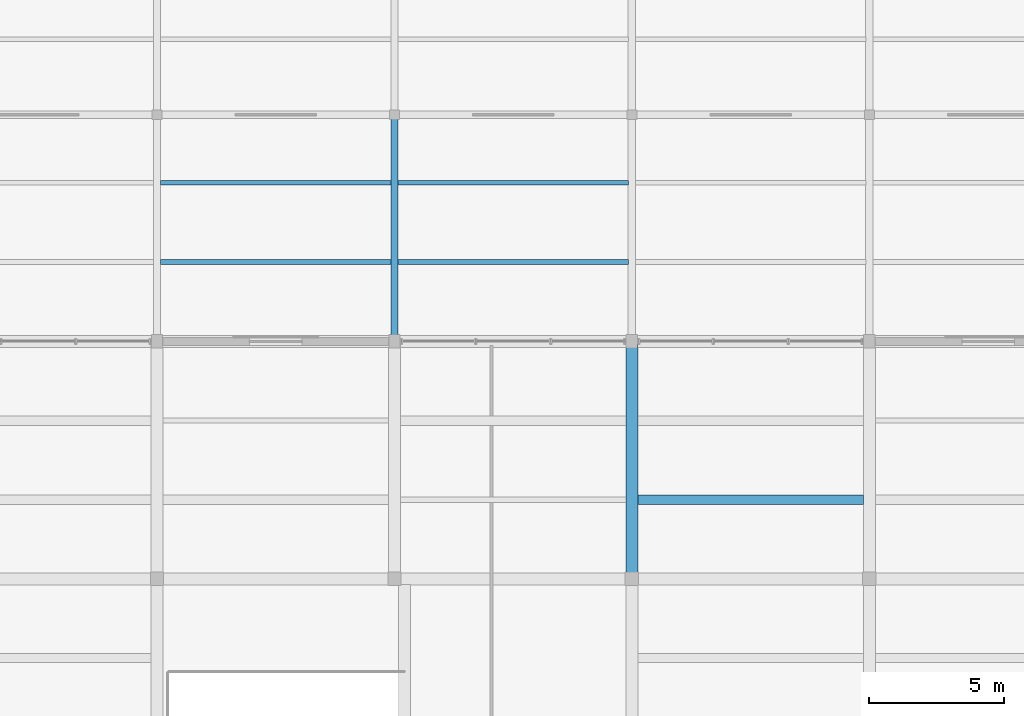
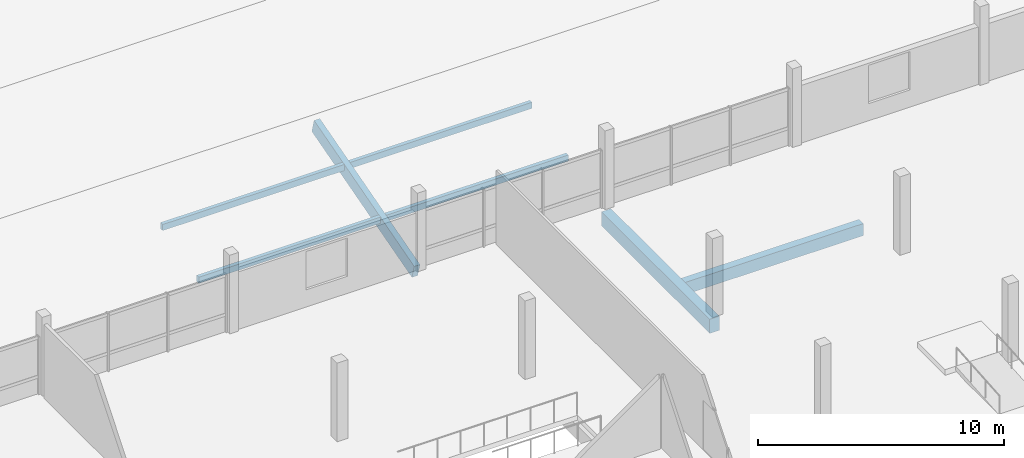
# One storey, part 44 of 62: 4 members, 3 beams.
"""IFC4 building model written with IfcOpenShell, lengths in metres."""

import ifcopenshell
import ifcopenshell.guid

model = None  # the IFC model being written
_history = None  # IfcOwnerHistory: only IFC2X3 demands one
_inside = {}  # id of a spatial element -> (the spatial element, [elements in it])
_under = {}  # id of a project, library or spatial element -> (it, [spatial elements below it])
_declared = {}  # id of a project -> (the project, [libraries it declares])
_typed = {}  # id of a type object -> (the type object, [elements of that type])
_made_of = {}  # id of a material, layer set ... -> (it, [elements and type objects made of it])


def new_model(schema):
    """Start an empty IFC model of exactly this schema.

    Asked for "IFC4X3", IfcOpenShell would pick the latest addendum, in which some entities
    have other attributes; the version numbers below select the first issue.
    IFC2X3 requires an IfcOwnerHistory on every rooted entity: one is made here for all.
    """
    global model, _history
    if schema == "IFC4X3":
        model = ifcopenshell.file(schema_version=(4, 3, 0, 0))
    else:
        model = ifcopenshell.file(schema=schema)
    _inside.clear()
    _under.clear()
    _declared.clear()
    _typed.clear()
    _made_of.clear()
    _history = None
    if model.schema == "IFC2X3":
        org = make("IfcOrganization", Name="unknown")
        user = make(
            "IfcPersonAndOrganization",
            ThePerson=make("IfcPerson", FamilyName="unknown"),
            TheOrganization=org,
        )
        app = make(
            "IfcApplication",
            ApplicationDeveloper=org,
            Version="unknown",
            ApplicationFullName="unknown",
            ApplicationIdentifier="unknown",
        )
        _history = make(
            "IfcOwnerHistory",
            OwningUser=user,
            OwningApplication=app,
            ChangeAction="ADDED",
            CreationDate=0,
        )
    return model


def make(cls, **values):
    """One entity of the class cls with the attributes given. An attribute that is None is left unset."""
    return model.create_entity(
        cls, **{name: value for name, value in values.items() if value is not None}
    )


def rooted(cls, **values):
    """An entity with a GlobalId (a new one), such as an element, a storey or a relation."""
    return make(cls, GlobalId=ifcopenshell.guid.new(), OwnerHistory=_history, **values)


def si_unit(unit_type, name, prefix=None):
    """IfcSIUnit, for example si_unit("LENGTHUNIT", "METRE", prefix="MILLI")."""
    return make("IfcSIUnit", UnitType=unit_type, Prefix=prefix, Name=name)


def assignment(units):
    """IfcUnitAssignment: the units of a project."""
    return None if units is None else make("IfcUnitAssignment", Units=units)


def point(xyz):
    """IfcCartesianPoint."""
    return None if xyz is None else make("IfcCartesianPoint", Coordinates=xyz)


def direction(xyz):
    """IfcDirection."""
    return None if xyz is None else make("IfcDirection", DirectionRatios=xyz)


def frame(location, z_axis=None, x_axis=None):
    """IfcAxis2Placement3D, a coordinate frame: its origin and axes. An axis left out is left unset."""
    return make(
        "IfcAxis2Placement3D",
        Location=point(location),
        Axis=direction(z_axis),
        RefDirection=direction(x_axis),
    )


def frame_2d(location, x_axis=None):
    """IfcAxis2Placement2D, a coordinate frame in the plane: its origin and x axis."""
    return make(
        "IfcAxis2Placement2D", Location=point(location), RefDirection=direction(x_axis)
    )


def origin():
    """The frame at (0, 0, 0) with its axes left unset."""
    return frame((0.0, 0.0, 0.0))


def origin_2d():
    """The frame at (0, 0) in the plane with its x axis left unset."""
    return frame_2d((0.0, 0.0))


def place(relative_to, where):
    """IfcLocalPlacement: puts the frame where relative to a parent placement (None: the world)."""
    return make(
        "IfcLocalPlacement", PlacementRelTo=relative_to, RelativePlacement=where
    )


def context(
    kind, dimensions, precision=None, world=None, true_north=None, identifier=None
):
    """IfcGeometricRepresentationContext, for example the 3D "Model" context."""
    return make(
        "IfcGeometricRepresentationContext",
        ContextIdentifier=identifier,
        ContextType=kind,
        CoordinateSpaceDimension=dimensions,
        Precision=precision,
        WorldCoordinateSystem=world,
        TrueNorth=true_north,
    )


def subcontext(parent, identifier, kind, view, scale=None):
    """IfcGeometricRepresentationSubContext, for example "Body" below "Model"."""
    return make(
        "IfcGeometricRepresentationSubContext",
        ContextIdentifier=identifier,
        ContextType=kind,
        ParentContext=parent,
        TargetScale=scale,
        TargetView=view,
    )


def project(units=None, contexts=None):
    """IfcProject with its units and contexts."""
    return rooted(
        "IfcProject",
        Name="project",
        RepresentationContexts=contexts,
        UnitsInContext=assignment(units),
    )


def spatial(cls, under=None, at=None, **own):
    """A site, building, storey or space (cls), placed at a placement, below another one or the project."""
    s = rooted(cls, ObjectPlacement=at, **own)
    if under is not None:
        _under.setdefault(under.id(), (under, []))[1].append(s)
    return s


def profile(cls, at=None, kind="AREA", **sizes):
    """A parametric profile (cls). Its sizes go by their IFC names, for example OverallWidth=200.0."""
    return make(cls, ProfileType=kind, Position=at, **sizes)


def rectangle(**sizes):
    """IfcRectangleProfileDef."""
    return profile("IfcRectangleProfileDef", **sizes)


def extrude(swept, where, along, depth):
    """IfcExtrudedAreaSolid: the profile swept, set in the frame where, extruded along a direction by depth."""
    return make(
        "IfcExtrudedAreaSolid",
        SweptArea=swept,
        Position=where,
        ExtrudedDirection=direction(along),
        Depth=depth,
    )


def shape(context_of_items, identifier, shape_type, items):
    """IfcShapeRepresentation: the items that make up one representation, for example the "Body"."""
    return make(
        "IfcShapeRepresentation",
        ContextOfItems=context_of_items,
        RepresentationIdentifier=identifier,
        RepresentationType=shape_type,
        Items=items,
    )


def material(Name=None, Category=None):
    """IfcMaterial."""
    return make("IfcMaterial", Name=Name, Category=Category)


def material_profile(
    of_material, cross_section, Name=None, Category=None, Priority=None
):
    """IfcMaterialProfile: a cross section and its material."""
    return make(
        "IfcMaterialProfile",
        Name=Name,
        Material=of_material,
        Profile=cross_section,
        Priority=Priority,
        Category=Category,
    )


def profile_set(profiles, Name=None, composite=None):
    """IfcMaterialProfileSet."""
    return make(
        "IfcMaterialProfileSet",
        Name=Name,
        MaterialProfiles=profiles,
        CompositeProfile=composite,
    )


def made_of(thing, what):
    """Note that an element or type object is made of a material, layer set ...; save() writes the relation."""
    if what is not None:
        _made_of.setdefault(what.id(), (what, []))[1].append(thing)
    return thing


def type_object(cls, material=None, **own):
    """A type object (cls), such as IfcWallType, which elements share."""
    return made_of(rooted(cls, **own), material)


def element(
    cls,
    number,
    at=None,
    inside=None,
    cuts=None,
    type_object=None,
    material=None,
    context=None,
    identifier="Body",
    shape_type=None,
    held_by="IfcProductDefinitionShape",
    body=None,
    shapes=None,
    **own,
):
    """One element of the class cls, such as IfcWall. Its Tag is "e" and its number.

    at: its placement. inside: the storey or other place that contains it. cuts: it is an
    opening in that element (IfcRelVoidsElement). A single representation is given by context,
    identifier, shape_type and body (its items); several are given by shapes. held_by: the class
    of the entity that holds the representations. save() writes the other relations.
    """
    e = rooted(cls, Tag="e%d" % number, ObjectPlacement=at, **own)
    if body is not None:
        shapes = [shape(context, identifier, shape_type, body)]
    if shapes is not None:
        e.Representation = make(held_by, Representations=shapes)
    if inside is not None:
        _inside.setdefault(inside.id(), (inside, []))[1].append(e)
    if cuts is not None:
        rooted(
            "IfcRelVoidsElement", RelatingBuildingElement=cuts, RelatedOpeningElement=e
        )
    if type_object is not None:
        _typed.setdefault(type_object.id(), (type_object, []))[1].append(e)
    return made_of(e, material)


def aggregate(whole, parts):
    """IfcRelAggregates: a whole, such as a stair, and the parts it consists of."""
    return rooted("IfcRelAggregates", RelatingObject=whole, RelatedObjects=parts)


def save(model, path):
    """Write the relations noted so far, then the file.

    IfcRelAggregates (storeys below a building ...), IfcRelContainedInSpatialStructure (elements
    in a storey), IfcRelDefinesByType, IfcRelAssociatesMaterial and IfcRelDeclares: one each for
    every whole, place, type object, material and project.
    """
    for whole, parts in _under.values():
        aggregate(whole, parts)
    for where, things in _inside.values():
        rooted(
            "IfcRelContainedInSpatialStructure",
            RelatedElements=things,
            RelatingStructure=where,
        )
    for kind, things in _typed.values():
        rooted("IfcRelDefinesByType", RelatedObjects=things, RelatingType=kind)
    for what, things in _made_of.values():
        rooted("IfcRelAssociatesMaterial", RelatedObjects=things, RelatingMaterial=what)
    for by, libraries in _declared.values():
        rooted("IfcRelDeclares", RelatingContext=by, RelatedDefinitions=libraries)
    model.write(path)


model = new_model("IFC4")

# Units and contexts
model_context = context("Model", 3, precision=1e-05, world=origin(), true_north=direction((0.0, 1.0)))
body_context = subcontext(model_context, "Body", "Model", "MODEL_VIEW")
ifc_project = project(units=[si_unit("LENGTHUNIT", "METRE"), si_unit("AREAUNIT", "SQUARE_METRE"), si_unit("VOLUMEUNIT", "CUBIC_METRE"), si_unit("PLANEANGLEUNIT", "RADIAN"), si_unit("MASSUNIT", "GRAM", prefix="KILO")], contexts=[model_context])

# Site, building, storey
site_placement = place(None, origin())
site = spatial("IfcSite", under=ifc_project, at=site_placement, CompositionType="ELEMENT")
building_placement = place(site_placement, origin())
building = spatial("IfcBuilding", under=site, at=building_placement, Name="Meriwether Solvik Hall", CompositionType="ELEMENT")
storey_placement = place(building_placement, frame((0.0, 0.0, 14.39990234375)))
storey = spatial("IfcBuildingStorey", under=building, at=storey_placement, Name="L03", CompositionType="ELEMENT", Elevation=14.39990234375)

# Beams
ifc_material_1 = material(Name="Glulam Douglas-Fir 24F-V8 GL28h", Category="wood")
ifc_material_profile_1 = material_profile(ifc_material_1, rectangle(XDim=0.27294921875, YDim=0.68505859375, at=origin_2d()), Name="GLB-273X685")
ifc_profile_set_1 = profile_set([ifc_material_profile_1], Name="Glulam Douglas-Fir 24F-V8 GL28h")
beam_type_1 = type_object("IfcBeamType", Name="BM-GL-273X685", PredefinedType="BEAM", material=ifc_profile_set_1)
beam_1_placement = place(storey_placement, frame((131.800048828125, 93.021484375, -0.3125), z_axis=(0.0, 0.962120295862, 0.272625267155), x_axis=(-1.0, 0.0, 0.0)))
element("IfcBeam", 1, at=beam_1_placement, inside=storey, type_object=beam_type_1, Name="Raking Glulam Roof Rafter w2_saw_1-15 (L03)", PredefinedType="BEAM", context=body_context, shape_type="SweptSolid", body=[
    extrude(rectangle(XDim=0.27294921875, YDim=0.68505859375, at=origin_2d()), origin(), (0.0, 0.0, 1.0), 8.46435546875),
])
ifc_material_2 = material(Name="Concrete C40/50", Category="concrete")
ifc_material_profile_2 = material_profile(ifc_material_2, rectangle(XDim=0.35009765625, YDim=0.60009765625, at=origin_2d()), Name="RCB-350X600")
ifc_profile_set_2 = profile_set([ifc_material_profile_2], Name="Concrete C40/50")
beam_type_2 = type_object("IfcBeamType", Name="BM-RC-350X600", PredefinedType="JOIST", material=ifc_profile_set_2)
beam_2_placement = place(storey_placement, frame((140.820068359375, 86.933349609375, -0.544921875), z_axis=(1.0, 0.0, 0.0), x_axis=(0.0, 1.0, 0.0)))
element("IfcBeam", 2, at=beam_2_placement, inside=storey, type_object=beam_type_2, Name="Secondary Floor Joist 16/J_J1 (L03)", PredefinedType="JOIST", context=body_context, shape_type="SweptSolid", body=[
    extrude(rectangle(XDim=0.35009765625, YDim=0.60009765625, at=origin_2d()), origin(), (0.0, 0.0, 1.0), 8.35986328125),
])
ifc_material_3 = material(Name="Concrete C40/50", Category="concrete")
ifc_material_profile_3 = material_profile(ifc_material_3, rectangle(XDim=0.449951171875, YDim=0.699951171875, at=origin_2d()), Name="RCB-450X700")
ifc_profile_set_3 = profile_set([ifc_material_profile_3], Name="Concrete C40/50")
beam_type_3 = type_object("IfcBeamType", Name="BM-RC-450X700", PredefinedType="BEAM", material=ifc_profile_set_3)
beam_3_placement = place(storey_placement, frame((140.60009765625, 84.0, -0.594970703125), z_axis=(0.0, 1.0, 0.0), x_axis=(-1.0, 0.0, 0.0)))
element("IfcBeam", 3, at=beam_3_placement, inside=storey, type_object=beam_type_3, Name="Podium Girder 16:J-K (L03)", PredefinedType="BEAM", context=body_context, shape_type="SweptSolid", body=[
    extrude(rectangle(XDim=0.449951171875, YDim=0.699951171875, at=origin_2d()), origin(), (0.0, 0.0, 1.0), 8.800048828125),
])

# Members
ifc_material_4 = material(Name="Glulam Douglas-Fir 24F-V8 GL28h", Category="wood")
ifc_material_profile_4 = material_profile(ifc_material_4, rectangle(XDim=0.175048828125, YDim=0.304931640625, at=origin_2d()), Name="GLM-175X305")
ifc_profile_set_4 = profile_set([ifc_material_profile_4], Name="Glulam Douglas-Fir 24F-V8 GL28h")
member_type = type_object("IfcMemberType", Name="MEM-PRL-GL175", PredefinedType="PURLIN", material=ifc_profile_set_4)
for number, where, z_axis, x_axis, name in (
    (4, (123.132568359375, 95.739990234375, 0.661376953125), (1.0, 0.0, 0.0), (0.0, 1.0, 0.0), "Sloped Roof Glulam Purlin w2_saw_1-3.1"),
    (5, (123.132568359375, 98.679931640625, 1.494384765625), (1.0, 0.0, 0.0), (0.0, 1.0, 0.0), "Sloped Roof Glulam Purlin w2_saw_1-3.2"),
    (6, (131.9326171875, 95.739990234375, 0.661376953125), (1.0, 0.0, 0.0), (0.0, 1.0, 0.0), "Sloped Roof Glulam Purlin w2_saw_1-4.1"),
    (7, (131.9326171875, 98.679931640625, 1.494384765625), (1.0, 0.0, 0.0), (0.0, 1.0, 0.0), "Sloped Roof Glulam Purlin w2_saw_1-4.2"),
):
    element("IfcMember", number, at=place(storey_placement, frame(where, z_axis=z_axis, x_axis=x_axis)), inside=storey, type_object=member_type, Name=name, PredefinedType="PURLIN", context=body_context, shape_type="SweptSolid", body=[
        extrude(rectangle(XDim=0.175048828125, YDim=0.304931640625, at=origin_2d()), origin(), (0.0, 0.0, 1.0), 8.534912109375),
    ])

save(model, "model.ifc")
